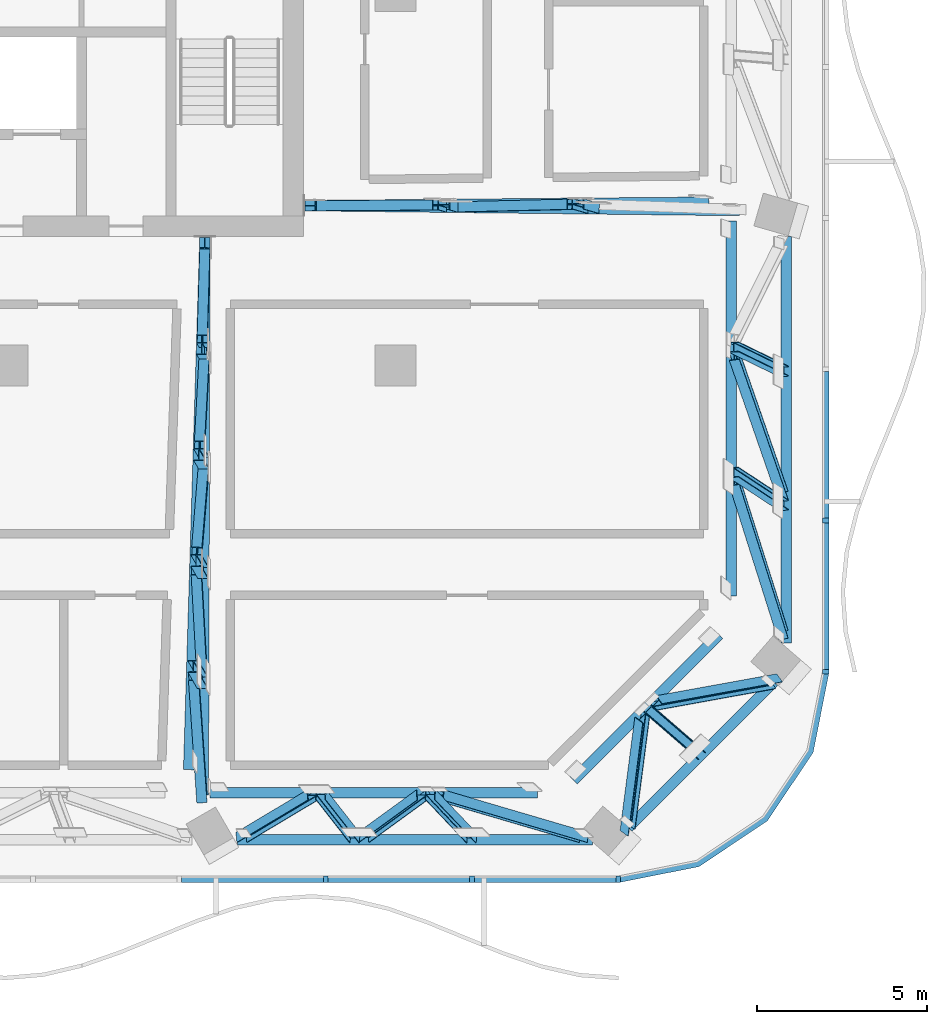
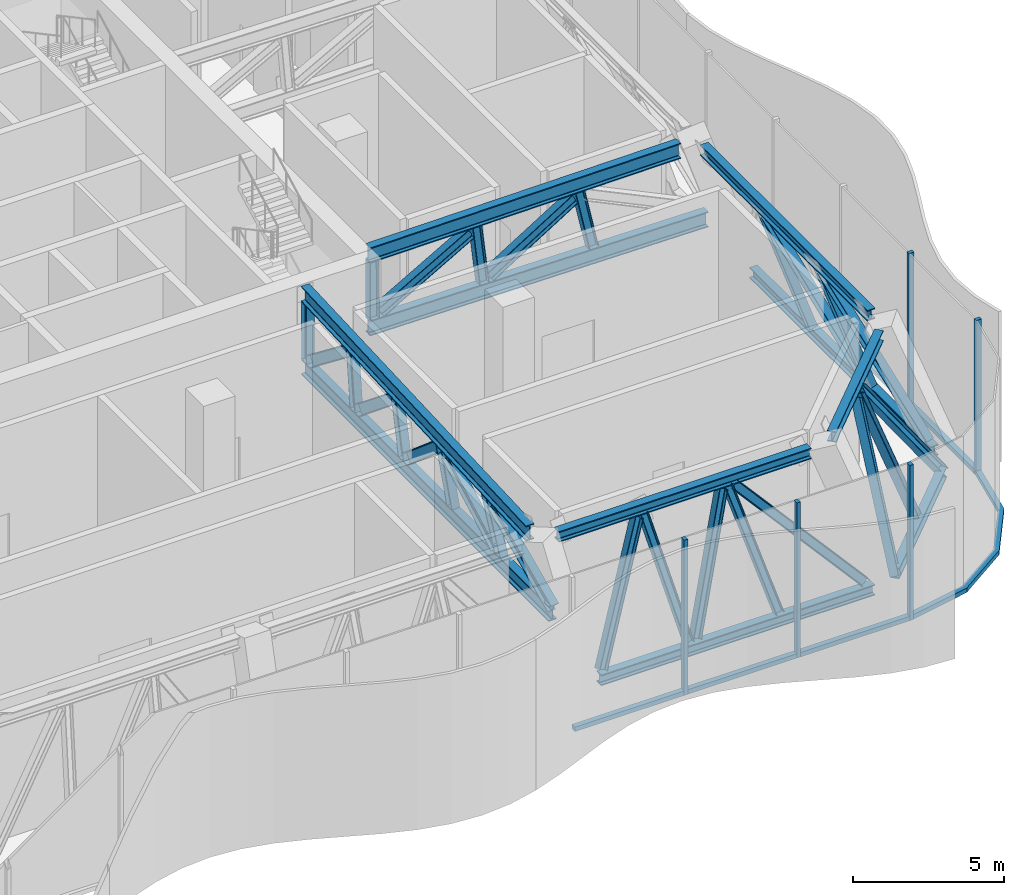
# One storey, part 4 of 29: 48 members, 3 elements without a shape of their own.
"""IFC4 building model written with IfcOpenShell, lengths in metres."""

import ifcopenshell
import ifcopenshell.guid

model = None  # the IFC model being written
_history = None  # IfcOwnerHistory: only IFC2X3 demands one
_inside = {}  # id of a spatial element -> (the spatial element, [elements in it])
_under = {}  # id of a project, library or spatial element -> (it, [spatial elements below it])
_declared = {}  # id of a project -> (the project, [libraries it declares])
_typed = {}  # id of a type object -> (the type object, [elements of that type])
_made_of = {}  # id of a material, layer set ... -> (it, [elements and type objects made of it])


def new_model(schema):
    """Start an empty IFC model of exactly this schema.

    Asked for "IFC4X3", IfcOpenShell would pick the latest addendum, in which some entities
    have other attributes; the version numbers below select the first issue.
    IFC2X3 requires an IfcOwnerHistory on every rooted entity: one is made here for all.
    """
    global model, _history
    if schema == "IFC4X3":
        model = ifcopenshell.file(schema_version=(4, 3, 0, 0))
    else:
        model = ifcopenshell.file(schema=schema)
    _inside.clear()
    _under.clear()
    _declared.clear()
    _typed.clear()
    _made_of.clear()
    _history = None
    if model.schema == "IFC2X3":
        org = make("IfcOrganization", Name="unknown")
        user = make(
            "IfcPersonAndOrganization",
            ThePerson=make("IfcPerson", FamilyName="unknown"),
            TheOrganization=org,
        )
        app = make(
            "IfcApplication",
            ApplicationDeveloper=org,
            Version="unknown",
            ApplicationFullName="unknown",
            ApplicationIdentifier="unknown",
        )
        _history = make(
            "IfcOwnerHistory",
            OwningUser=user,
            OwningApplication=app,
            ChangeAction="ADDED",
            CreationDate=0,
        )
    return model


def make(cls, **values):
    """One entity of the class cls with the attributes given. An attribute that is None is left unset."""
    return model.create_entity(
        cls, **{name: value for name, value in values.items() if value is not None}
    )


def rooted(cls, **values):
    """An entity with a GlobalId (a new one), such as an element, a storey or a relation."""
    return make(cls, GlobalId=ifcopenshell.guid.new(), OwnerHistory=_history, **values)


def si_unit(unit_type, name, prefix=None):
    """IfcSIUnit, for example si_unit("LENGTHUNIT", "METRE", prefix="MILLI")."""
    return make("IfcSIUnit", UnitType=unit_type, Prefix=prefix, Name=name)


def assignment(units):
    """IfcUnitAssignment: the units of a project."""
    return None if units is None else make("IfcUnitAssignment", Units=units)


def point(xyz):
    """IfcCartesianPoint."""
    return None if xyz is None else make("IfcCartesianPoint", Coordinates=xyz)


def direction(xyz):
    """IfcDirection."""
    return None if xyz is None else make("IfcDirection", DirectionRatios=xyz)


def frame(location, z_axis=None, x_axis=None):
    """IfcAxis2Placement3D, a coordinate frame: its origin and axes. An axis left out is left unset."""
    return make(
        "IfcAxis2Placement3D",
        Location=point(location),
        Axis=direction(z_axis),
        RefDirection=direction(x_axis),
    )


def frame_2d(location, x_axis=None):
    """IfcAxis2Placement2D, a coordinate frame in the plane: its origin and x axis."""
    return make(
        "IfcAxis2Placement2D", Location=point(location), RefDirection=direction(x_axis)
    )


def origin():
    """The frame at (0, 0, 0) with its axes left unset."""
    return frame((0.0, 0.0, 0.0))


def origin_2d():
    """The frame at (0, 0) in the plane with its x axis left unset."""
    return frame_2d((0.0, 0.0))


def place(relative_to, where):
    """IfcLocalPlacement: puts the frame where relative to a parent placement (None: the world)."""
    return make(
        "IfcLocalPlacement", PlacementRelTo=relative_to, RelativePlacement=where
    )


def context(
    kind, dimensions, precision=None, world=None, true_north=None, identifier=None
):
    """IfcGeometricRepresentationContext, for example the 3D "Model" context."""
    return make(
        "IfcGeometricRepresentationContext",
        ContextIdentifier=identifier,
        ContextType=kind,
        CoordinateSpaceDimension=dimensions,
        Precision=precision,
        WorldCoordinateSystem=world,
        TrueNorth=true_north,
    )


def subcontext(parent, identifier, kind, view, scale=None):
    """IfcGeometricRepresentationSubContext, for example "Body" below "Model"."""
    return make(
        "IfcGeometricRepresentationSubContext",
        ContextIdentifier=identifier,
        ContextType=kind,
        ParentContext=parent,
        TargetScale=scale,
        TargetView=view,
    )


def project(units=None, contexts=None):
    """IfcProject with its units and contexts."""
    return rooted(
        "IfcProject",
        Name="project",
        RepresentationContexts=contexts,
        UnitsInContext=assignment(units),
    )


def spatial(cls, under=None, at=None, **own):
    """A site, building, storey or space (cls), placed at a placement, below another one or the project."""
    s = rooted(cls, ObjectPlacement=at, **own)
    if under is not None:
        _under.setdefault(under.id(), (under, []))[1].append(s)
    return s


def polyline(points):
    """IfcPolyline through the points."""
    return make("IfcPolyline", Points=[point(p) for p in points])


def profile(cls, at=None, kind="AREA", **sizes):
    """A parametric profile (cls). Its sizes go by their IFC names, for example OverallWidth=200.0."""
    return make(cls, ProfileType=kind, Position=at, **sizes)


def rectangle(**sizes):
    """IfcRectangleProfileDef."""
    return profile("IfcRectangleProfileDef", **sizes)


def i_section(**sizes):
    """IfcIShapeProfileDef."""
    return profile("IfcIShapeProfileDef", **sizes)


def outline(outer, holes=None, kind="AREA"):
    """IfcArbitraryClosedProfileDef: a profile drawn as a closed curve; with holes, ...WithVoids."""
    if holes is None:
        return make("IfcArbitraryClosedProfileDef", ProfileType=kind, OuterCurve=outer)
    return make(
        "IfcArbitraryProfileDefWithVoids",
        ProfileType=kind,
        OuterCurve=outer,
        InnerCurves=holes,
    )


def extrude(swept, where, along, depth):
    """IfcExtrudedAreaSolid: the profile swept, set in the frame where, extruded along a direction by depth."""
    return make(
        "IfcExtrudedAreaSolid",
        SweptArea=swept,
        Position=where,
        ExtrudedDirection=direction(along),
        Depth=depth,
    )


def shape(context_of_items, identifier, shape_type, items):
    """IfcShapeRepresentation: the items that make up one representation, for example the "Body"."""
    return make(
        "IfcShapeRepresentation",
        ContextOfItems=context_of_items,
        RepresentationIdentifier=identifier,
        RepresentationType=shape_type,
        Items=items,
    )


def material(Name=None, Category=None):
    """IfcMaterial."""
    return make("IfcMaterial", Name=Name, Category=Category)


def material_profile(
    of_material, cross_section, Name=None, Category=None, Priority=None
):
    """IfcMaterialProfile: a cross section and its material."""
    return make(
        "IfcMaterialProfile",
        Name=Name,
        Material=of_material,
        Profile=cross_section,
        Priority=Priority,
        Category=Category,
    )


def profile_set(profiles, Name=None, composite=None):
    """IfcMaterialProfileSet."""
    return make(
        "IfcMaterialProfileSet",
        Name=Name,
        MaterialProfiles=profiles,
        CompositeProfile=composite,
    )


def made_of(thing, what):
    """Note that an element or type object is made of a material, layer set ...; save() writes the relation."""
    if what is not None:
        _made_of.setdefault(what.id(), (what, []))[1].append(thing)
    return thing


def type_object(cls, material=None, **own):
    """A type object (cls), such as IfcWallType, which elements share."""
    return made_of(rooted(cls, **own), material)


def element(
    cls,
    number,
    at=None,
    inside=None,
    cuts=None,
    type_object=None,
    material=None,
    context=None,
    identifier="Body",
    shape_type=None,
    held_by="IfcProductDefinitionShape",
    body=None,
    shapes=None,
    **own,
):
    """One element of the class cls, such as IfcWall. Its Tag is "e" and its number.

    at: its placement. inside: the storey or other place that contains it. cuts: it is an
    opening in that element (IfcRelVoidsElement). A single representation is given by context,
    identifier, shape_type and body (its items); several are given by shapes. held_by: the class
    of the entity that holds the representations. save() writes the other relations.
    """
    e = rooted(cls, Tag="e%d" % number, ObjectPlacement=at, **own)
    if body is not None:
        shapes = [shape(context, identifier, shape_type, body)]
    if shapes is not None:
        e.Representation = make(held_by, Representations=shapes)
    if inside is not None:
        _inside.setdefault(inside.id(), (inside, []))[1].append(e)
    if cuts is not None:
        rooted(
            "IfcRelVoidsElement", RelatingBuildingElement=cuts, RelatedOpeningElement=e
        )
    if type_object is not None:
        _typed.setdefault(type_object.id(), (type_object, []))[1].append(e)
    return made_of(e, material)


def aggregate(whole, parts):
    """IfcRelAggregates: a whole, such as a stair, and the parts it consists of."""
    return rooted("IfcRelAggregates", RelatingObject=whole, RelatedObjects=parts)


def save(model, path):
    """Write the relations noted so far, then the file.

    IfcRelAggregates (storeys below a building ...), IfcRelContainedInSpatialStructure (elements
    in a storey), IfcRelDefinesByType, IfcRelAssociatesMaterial and IfcRelDeclares: one each for
    every whole, place, type object, material and project.
    """
    for whole, parts in _under.values():
        aggregate(whole, parts)
    for where, things in _inside.values():
        rooted(
            "IfcRelContainedInSpatialStructure",
            RelatedElements=things,
            RelatingStructure=where,
        )
    for kind, things in _typed.values():
        rooted("IfcRelDefinesByType", RelatedObjects=things, RelatingType=kind)
    for what, things in _made_of.values():
        rooted("IfcRelAssociatesMaterial", RelatedObjects=things, RelatingMaterial=what)
    for by, libraries in _declared.values():
        rooted("IfcRelDeclares", RelatingContext=by, RelatedDefinitions=libraries)
    model.write(path)


model = new_model("IFC4")

# Units and contexts
model_context = context("Model", 3, precision=1e-05, world=origin(), true_north=direction((0.0, 1.0)))
body_context = subcontext(model_context, "Body", "Model", "MODEL_VIEW")
ifc_project = project(units=[si_unit("LENGTHUNIT", "METRE"), si_unit("AREAUNIT", "SQUARE_METRE"), si_unit("VOLUMEUNIT", "CUBIC_METRE"), si_unit("PLANEANGLEUNIT", "RADIAN"), si_unit("MASSUNIT", "GRAM", prefix="KILO")], contexts=[model_context])

# Site, building, storey
site_placement = place(None, origin())
site = spatial("IfcSite", under=ifc_project, at=site_placement, CompositionType="ELEMENT")
building_placement = place(site_placement, origin())
building = spatial("IfcBuilding", under=site, at=building_placement, Name="Mopane Tessera Tower", CompositionType="ELEMENT")
storey_placement = place(building_placement, frame((0.0, 0.0, 315.39990234375)))
storey = spatial("IfcBuildingStorey", under=building, at=storey_placement, Name="L69", CompositionType="ELEMENT", Elevation=315.39990234375)

# Curtain wall, members
ifc_material_1 = material(Name="Aluminium frame", Category="aluminium")
curtain_wall_type = type_object("IfcCurtainWallType", Name="Plant floor unitised wall", PredefinedType="NOTDEFINED", material=ifc_material_1)
curtain_wall_1_placement = place(storey_placement, origin())
curtain_wall_1 = element("IfcCurtainWall", 1, at=curtain_wall_1_placement, inside=storey, type_object=curtain_wall_type, Name="e:cw:L69:S:0", PredefinedType="NOTDEFINED")
ifc_material_2 = material(Name="Aluminium frame", Category="aluminium")
ifc_material_profile_1 = material_profile(ifc_material_2, rectangle(XDim=0.139892578125, YDim=0.199951171875, at=origin_2d()))
ifc_profile_set_1 = profile_set([ifc_material_profile_1], Name="Aluminium frame")
member_type_1 = type_object("IfcMemberType", Name="Aluminium mullion 140 x 200", PredefinedType="MULLION", material=ifc_profile_set_1)
member_1_placement = place(storey_placement, frame((15.050048828125, -26.10009765625, -0.599853515625), z_axis=(0.0, 0.0, 1.0), x_axis=(1.0, 0.0, 0.0)))
member_1 = element("IfcMember", 2, at=member_1_placement, type_object=member_type_1, Name="e:cw:L69:S:0:mu9", PredefinedType="MULLION", context=body_context, shape_type="SweptSolid", body=[
    extrude(rectangle(XDim=0.139892578125, YDim=0.199951171875, at=origin_2d()), origin(), (0.0, 0.0, 1.0), 6.25),
])
member_2_placement = place(storey_placement, frame((19.35009765625, -26.10009765625, -0.599853515625), z_axis=(0.0, 0.0, 1.0), x_axis=(1.0, 0.0, 0.0)))
member_2 = element("IfcMember", 3, at=member_2_placement, type_object=member_type_1, Name="e:cw:L69:S:0:mu10", PredefinedType="MULLION", context=body_context, shape_type="SweptSolid", body=[
    extrude(rectangle(XDim=0.139892578125, YDim=0.199951171875, at=origin_2d()), origin(), (0.0, 0.0, 1.0), 6.25),
])
member_3_placement = place(storey_placement, frame((23.64990234375, -26.10009765625, -0.599853515625), z_axis=(0.0, 0.0, 1.0), x_axis=(1.0, 0.0, 0.0)))
member_3 = element("IfcMember", 4, at=member_3_placement, type_object=member_type_1, Name="e:cw:L69:S:0:mu11", PredefinedType="MULLION", context=body_context, shape_type="SweptSolid", body=[
    extrude(rectangle(XDim=0.139892578125, YDim=0.199951171875, at=origin_2d()), origin(), (0.0, 0.0, 1.0), 6.25),
])

curtain_wall_2_placement = place(storey_placement, origin())
curtain_wall_2 = element("IfcCurtainWall", 5, at=curtain_wall_2_placement, inside=storey, type_object=curtain_wall_type, Name="e:cw:L69:E:0", PredefinedType="NOTDEFINED")
member_4_placement = place(storey_placement, frame((29.75, -20.0, -0.599853515625), z_axis=(0.0, 0.0, 1.0), x_axis=(0.0, 1.0, 0.0)))
member_4 = element("IfcMember", 6, at=member_4_placement, type_object=member_type_1, Name="e:cw:L69:E:0:mu0", PredefinedType="MULLION", context=body_context, shape_type="SweptSolid", body=[
    extrude(rectangle(XDim=0.139892578125, YDim=0.199951171875, at=origin_2d()), origin(), (0.0, 0.0, 1.0), 6.25),
])
member_5_placement = place(storey_placement, frame((29.75, -15.5556640625, -0.599853515625), z_axis=(0.0, 0.0, 1.0), x_axis=(0.0, 1.0, 0.0)))
member_5 = element("IfcMember", 7, at=member_5_placement, type_object=member_type_1, Name="e:cw:L69:E:0:mu1", PredefinedType="MULLION", context=body_context, shape_type="SweptSolid", body=[
    extrude(rectangle(XDim=0.139892578125, YDim=0.199951171875, at=origin_2d()), origin(), (0.0, 0.0, 1.0), 6.25),
])

# Member
ifc_material_3 = material(Name="Aluminium frame", Category="aluminium")
ifc_material_profile_2 = material_profile(ifc_material_3, rectangle(XDim=0.199951171875, YDim=0.179931640625, at=origin_2d()))
ifc_profile_set_2 = profile_set([ifc_material_profile_2], Name="Aluminium frame")
member_type_2 = type_object("IfcMemberType", Name="Aluminium transom 200 x 180", PredefinedType="USERDEFINED", material=ifc_profile_set_2)
member_6_placement = place(storey_placement, frame((10.820068359375, -26.10009765625, -0.510009765625), z_axis=(1.0, 0.0, 0.0), x_axis=(0.0, 1.0, 0.0)))
member_6 = element("IfcMember", 8, at=member_6_placement, type_object=member_type_2, Name="e:cw:L69:S:0:tr8", ObjectType="TRANSOM", PredefinedType="USERDEFINED", context=body_context, shape_type="SweptSolid", body=[
    extrude(rectangle(XDim=0.199951171875, YDim=0.179931640625, at=origin_2d()), origin(), (0.0, 0.0, 1.0), 4.159912109375),
])

member_7_placement = place(storey_placement, frame((15.1201171875, -26.10009765625, -0.510009765625), z_axis=(1.0, 0.0, 0.0), x_axis=(0.0, 1.0, 0.0)))
member_7 = element("IfcMember", 9, at=member_7_placement, type_object=member_type_2, Name="e:cw:L69:S:0:tr9", ObjectType="TRANSOM", PredefinedType="USERDEFINED", context=body_context, shape_type="SweptSolid", body=[
    extrude(rectangle(XDim=0.199951171875, YDim=0.179931640625, at=origin_2d()), origin(), (0.0, 0.0, 1.0), 4.159912109375),
])

member_8_placement = place(storey_placement, frame((19.419921875, -26.10009765625, -0.510009765625), z_axis=(1.0, 0.0, 0.0), x_axis=(0.0, 1.0, 0.0)))
member_8 = element("IfcMember", 10, at=member_8_placement, type_object=member_type_2, Name="e:cw:L69:S:0:tr10", ObjectType="TRANSOM", PredefinedType="USERDEFINED", context=body_context, shape_type="SweptSolid", body=[
    extrude(rectangle(XDim=0.199951171875, YDim=0.179931640625, at=origin_2d()), origin(), (0.0, 0.0, 1.0), 4.16015625),
])

aggregate(curtain_wall_1, [member_1, member_2, member_3, member_6, member_7, member_8])

# Curtain wall, member
curtain_wall_3_placement = place(storey_placement, origin())
curtain_wall_3 = element("IfcCurtainWall", 11, at=curtain_wall_3_placement, inside=storey, type_object=curtain_wall_type, Name="e:cw:L69:CS", PredefinedType="NOTDEFINED")
member_9_placement = place(storey_placement, frame((0.0, 0.0, -0.599853515625)))
member_9 = element("IfcMember", 12, at=member_9_placement, type_object=member_type_2, Name="e:cw:L69:CS:tr", ObjectType="TRANSOM", PredefinedType="USERDEFINED", context=body_context, shape_type="SweptSolid", body=[
    extrude(outline(polyline([(23.64990234375, -26.0), (25.946044921875, -25.543212890625), (27.892578125, -24.24267578125), (29.193359375, -22.296142578125), (29.64990234375, -20.0), (29.85009765625, -20.0), (29.378173828125, -22.37255859375), (28.0341796875, -24.384033203125), (26.022705078125, -25.72802734375), (23.64990234375, -26.199951171875), (23.64990234375, -26.0)])), origin(), (0.0, 0.0, 1.0), 0.179931640625),
])
aggregate(curtain_wall_3, [member_9])

# Member
member_10_placement = place(storey_placement, frame((29.75, -19.929931640625, -0.510009765625), z_axis=(0.0, 1.0, 0.0), x_axis=(-1.0, 0.0, 0.0)))
member_10 = element("IfcMember", 13, at=member_10_placement, type_object=member_type_2, Name="e:cw:L69:E:0:tr0", ObjectType="TRANSOM", PredefinedType="USERDEFINED", context=body_context, shape_type="SweptSolid", body=[
    extrude(rectangle(XDim=0.199951171875, YDim=0.179931640625, at=origin_2d()), origin(), (0.0, 0.0, 1.0), 4.304443359375),
])

member_11_placement = place(storey_placement, frame((29.75, -15.485595703125, -0.510009765625), z_axis=(0.0, 1.0, 0.0), x_axis=(-1.0, 0.0, 0.0)))
member_11 = element("IfcMember", 14, at=member_11_placement, type_object=member_type_2, Name="e:cw:L69:E:0:tr1", ObjectType="TRANSOM", PredefinedType="USERDEFINED", context=body_context, shape_type="SweptSolid", body=[
    extrude(rectangle(XDim=0.199951171875, YDim=0.179931640625, at=origin_2d()), origin(), (0.0, 0.0, 1.0), 4.304443359375),
])

aggregate(curtain_wall_2, [member_4, member_5, member_10, member_11])

# Members
ifc_material_4 = material(Name="Structural steel S460", Category="steel")
ifc_material_profile_3 = material_profile(ifc_material_4, i_section(OverallWidth=0.306884765625, OverallDepth=0.431884765625, WebThickness=0.02099609375, FlangeThickness=0.0400390625, FilletRadius=0.027099609375, at=origin_2d()))
ifc_profile_set_3 = profile_set([ifc_material_profile_3], Name="Structural steel S460")
member_type_3 = type_object("IfcMemberType", Name="Belt truss chord HE 400 M", PredefinedType="CHORD", material=ifc_profile_set_3)
member_12_placement = place(storey_placement, frame((12.457275390625, -24.9423828125, 0.216064453125), z_axis=(1.0, 0.0, 0.0), x_axis=(0.0, 1.0, 0.0)))
element("IfcMember", 15, at=member_12_placement, inside=storey, type_object=member_type_3, Name="Belt truss bottom chord L69 S3-S4", PredefinedType="CHORD", context=body_context, shape_type="SweptSolid", body=[
    extrude(i_section(OverallWidth=0.306884765625, OverallDepth=0.431884765625, WebThickness=0.02099609375, FlangeThickness=0.0400390625, FilletRadius=0.027099609375, at=origin_2d()), origin(), (0.0, 0.0, 1.0), 10.42919921875),
])
member_13_placement = place(storey_placement, frame((11.65283203125, -23.55078125, 5.43408203125), z_axis=(1.0, 0.0, 0.0), x_axis=(0.0, 1.0, 0.0)))
element("IfcMember", 16, at=member_13_placement, inside=storey, type_object=member_type_3, Name="Belt truss top chord L69 S3-S4", PredefinedType="CHORD", context=body_context, shape_type="SweptSolid", body=[
    extrude(i_section(OverallWidth=0.306884765625, OverallDepth=0.431884765625, WebThickness=0.02099609375, FlangeThickness=0.0400390625, FilletRadius=0.027099609375, at=origin_2d()), origin(), (0.0, 0.0, 1.0), 9.624755859375),
])
member_14_placement = place(storey_placement, frame((23.9453125, -24.580322265625, 0.216064453125), z_axis=(0.707126967223, 0.707086594573, 0.0), x_axis=(-0.707086594573, 0.707126967223, 0.0)))
element("IfcMember", 17, at=member_14_placement, inside=storey, type_object=member_type_3, Name="Belt truss bottom chord L69 S4-E0", PredefinedType="CHORD", context=body_context, shape_type="SweptSolid", body=[
    extrude(i_section(OverallWidth=0.306884765625, OverallDepth=0.431884765625, WebThickness=0.02099609375, FlangeThickness=0.0400390625, FilletRadius=0.027099609375, at=origin_2d()), origin(), (0.0, 0.0, 1.0), 6.047119140625),
])
member_15_placement = place(storey_placement, frame((22.33642578125, -23.18896484375, 5.43408203125), z_axis=(0.707106781187, 0.707106781187, 0.0), x_axis=(-0.707106781187, 0.707106781187, 0.0)))
element("IfcMember", 18, at=member_15_placement, inside=storey, type_object=member_type_3, Name="Belt truss top chord L69 S4-E0", PredefinedType="CHORD", context=body_context, shape_type="SweptSolid", body=[
    extrude(i_section(OverallWidth=0.306884765625, OverallDepth=0.431884765625, WebThickness=0.02099609375, FlangeThickness=0.0400390625, FilletRadius=0.027099609375, at=origin_2d()), origin(), (0.0, 0.0, 1.0), 6.04736328125),
])
member_16_placement = place(storey_placement, frame((28.583251953125, -19.16064453125, 0.216064453125), z_axis=(0.0, 1.0, 0.0), x_axis=(-1.0, 0.0, 0.0)))
element("IfcMember", 19, at=member_16_placement, inside=storey, type_object=member_type_3, Name="Belt truss bottom chord L69 E0-E1", PredefinedType="CHORD", context=body_context, shape_type="SweptSolid", body=[
    extrude(i_section(OverallWidth=0.306884765625, OverallDepth=0.431884765625, WebThickness=0.02099609375, FlangeThickness=0.0400390625, FilletRadius=0.027099609375, at=origin_2d()), origin(), (0.0, 0.0, 1.0), 11.948974609375),
])
member_17_placement = place(storey_placement, frame((26.974609375, -17.769287109375, 5.43408203125), z_axis=(0.0, 1.0, 0.0), x_axis=(-1.0, 0.0, 0.0)))
element("IfcMember", 20, at=member_17_placement, inside=storey, type_object=member_type_3, Name="Belt truss top chord L69 E0-E1", PredefinedType="CHORD", context=body_context, shape_type="SweptSolid", body=[
    extrude(i_section(OverallWidth=0.306884765625, OverallDepth=0.431884765625, WebThickness=0.02099609375, FlangeThickness=0.0400390625, FilletRadius=0.027099609375, at=origin_2d()), origin(), (0.0, 0.0, 1.0), 11.021484375),
])
ifc_material_5 = material(Name="Structural steel S460", Category="steel")
ifc_material_profile_4 = material_profile(ifc_material_5, i_section(OverallWidth=0.300048828125, OverallDepth=0.340087890625, WebThickness=0.011962890625, FlangeThickness=0.021484375, FilletRadius=0.027099609375, at=origin_2d()))
ifc_profile_set_4 = profile_set([ifc_material_profile_4], Name="Structural steel S460")
member_type_4 = type_object("IfcMemberType", Name="Belt truss diagonal HE 340 B", PredefinedType="BRACE", material=ifc_profile_set_4)
member_18_placement = place(storey_placement, frame((12.5810546875, -24.869140625, 0.4912109375), z_axis=(0.396181712859, 0.23660465611, 0.887163055533), x_axis=(-0.096501171402, 0.971606008673, -0.216030756671)))
element("IfcMember", 21, at=member_18_placement, inside=storey, type_object=member_type_4, Name="Belt truss diagonal 0 L69 S3-S4", PredefinedType="BRACE", context=body_context, shape_type="SweptSolid", body=[
    extrude(i_section(OverallWidth=0.300048828125, OverallDepth=0.340087890625, WebThickness=0.011962890625, FlangeThickness=0.021484375, FilletRadius=0.027099609375, at=origin_2d()), origin(), (0.0, 0.0, 1.0), 5.261474609375),
])
member_19_placement = place(storey_placement, frame((16.165283203125, -24.8701171875, 0.487060546875), z_axis=(0.334377391502, 0.242855071206, 0.910611428899), x_axis=(-0.083778817676, 0.970062580212, -0.227946704694)))
element("IfcMember", 22, at=member_19_placement, inside=storey, type_object=member_type_4, Name="Belt truss diagonal 1 L69 S3-S4", PredefinedType="BRACE", context=body_context, shape_type="SweptSolid", body=[
    extrude(i_section(OverallWidth=0.300048828125, OverallDepth=0.340087890625, WebThickness=0.011962890625, FlangeThickness=0.021484375, FilletRadius=0.027099609375, at=origin_2d()), origin(), (0.0, 0.0, 1.0), 5.135009765625),
])
member_20_placement = place(storey_placement, frame((18.39208984375, -23.624267578125, 5.158935546875), z_axis=(0.659754288309, -0.193649960631, -0.726101901806), x_axis=(0.130233888732, 0.981070686878, -0.143315880399)))
element("IfcMember", 23, at=member_20_placement, inside=storey, type_object=member_type_4, Name="Belt truss diagonal 2 L69 S3-S4", PredefinedType="BRACE", context=body_context, shape_type="SweptSolid", body=[
    extrude(i_section(OverallWidth=0.300048828125, OverallDepth=0.340087890625, WebThickness=0.011962890625, FlangeThickness=0.021484375, FilletRadius=0.027099609375, at=origin_2d()), origin(), (0.0, 0.0, 1.0), 6.428466796875),
])
member_21_placement = place(storey_placement, frame((23.926025390625, -24.644775390625, 0.137939453125), z_axis=(0.071488391257, 0.549988329124, 0.832107113143), x_axis=(-0.777153482013, 0.553649962132, -0.299172500117)))
element("IfcMember", 24, at=member_21_placement, inside=storey, type_object=member_type_4, Name="Belt truss diagonal 0 L69 S4-E0", PredefinedType="BRACE", context=body_context, shape_type="SweptSolid", body=[
    extrude(i_section(OverallWidth=0.300048828125, OverallDepth=0.340087890625, WebThickness=0.011962890625, FlangeThickness=0.021484375, FilletRadius=0.027099609375, at=origin_2d()), origin(), (0.0, 0.0, 1.0), 6.048095703125),
])
member_22_placement = place(storey_placement, frame((24.7529296875, -20.923828125, 5.170654296875), z_axis=(0.571771583517, 0.103829266357, -0.813816158435), x_axis=(-0.548844879528, 0.785707474973, -0.285364787573)))
element("IfcMember", 25, at=member_22_placement, inside=storey, type_object=member_type_4, Name="Belt truss diagonal 1 L69 S4-E0", PredefinedType="BRACE", context=body_context, shape_type="SweptSolid", body=[
    extrude(i_section(OverallWidth=0.300048828125, OverallDepth=0.340087890625, WebThickness=0.011962890625, FlangeThickness=0.021484375, FilletRadius=0.027099609375, at=origin_2d()), origin(), (0.0, 0.0, 1.0), 6.18408203125),
])
member_23_placement = place(storey_placement, frame((28.49462890625, -18.9189453125, 0.503662109375), z_axis=(-0.215656055351, 0.68132306213, 0.699493638856), x_axis=(-0.976469388038, -0.150469293211, -0.154487947832)))
element("IfcMember", 26, at=member_23_placement, inside=storey, type_object=member_type_4, Name="Belt truss diagonal 0 L69 E0-E1", PredefinedType="BRACE", context=body_context, shape_type="SweptSolid", body=[
    extrude(i_section(OverallWidth=0.300048828125, OverallDepth=0.340087890625, WebThickness=0.011962890625, FlangeThickness=0.021484375, FilletRadius=0.027099609375, at=origin_2d()), origin(), (0.0, 0.0, 1.0), 6.637451171875),
])
member_24_placement = place(storey_placement, frame((28.49560546875, -14.8330078125, 0.500244140625), z_axis=(-0.224748746234, 0.646492390803, 0.729064873451), x_axis=(-0.974416748353, -0.149082476337, -0.168185658661)))
element("IfcMember", 27, at=member_24_placement, inside=storey, type_object=member_type_4, Name="Belt truss diagonal 1 L69 E0-E1", PredefinedType="BRACE", context=body_context, shape_type="SweptSolid", body=[
    extrude(i_section(OverallWidth=0.300048828125, OverallDepth=0.340087890625, WebThickness=0.011962890625, FlangeThickness=0.021484375, FilletRadius=0.027099609375, at=origin_2d()), origin(), (0.0, 0.0, 1.0), 6.377685546875),
])
ifc_material_6 = material(Name="Structural steel S460", Category="steel")
ifc_material_profile_5 = material_profile(ifc_material_6, i_section(OverallWidth=0.300048828125, OverallDepth=0.300048828125, WebThickness=0.010986328125, FlangeThickness=0.01904296875, FilletRadius=0.027099609375, at=origin_2d()))
ifc_profile_set_5 = profile_set([ifc_material_profile_5], Name="Structural steel S460")
member_type_5 = type_object("IfcMemberType", Name="Belt truss post HE 300 B", PredefinedType="POST", material=ifc_profile_set_5)
member_25_placement = place(storey_placement, frame((15.904052734375, -24.884765625, 0.43212890625), z_axis=(-0.197480367847, 0.252612518498, 0.947200306067), x_axis=(0.051652251698, 0.967567520565, -0.247275429517)))
element("IfcMember", 28, at=member_25_placement, inside=storey, type_object=member_type_5, Name="Belt truss post 1 L69 S3-S4", PredefinedType="POST", context=body_context, shape_type="SweptSolid", body=[
    extrude(i_section(OverallWidth=0.300048828125, OverallDepth=0.300048828125, WebThickness=0.010986328125, FlangeThickness=0.01904296875, FilletRadius=0.027099609375, at=origin_2d()), origin(), (0.0, 0.0, 1.0), 5.052734375),
])
member_26_placement = place(storey_placement, frame((19.337646484375, -24.884765625, 0.43212890625), z_axis=(-0.237935125406, 0.250286687248, 0.93847932864), x_axis=(0.061516271204, 0.968171768925, -0.24260909759)))
element("IfcMember", 29, at=member_26_placement, inside=storey, type_object=member_type_5, Name="Belt truss post 2 L69 S3-S4", PredefinedType="POST", context=body_context, shape_type="SweptSolid", body=[
    extrude(i_section(OverallWidth=0.300048828125, OverallDepth=0.300048828125, WebThickness=0.010986328125, FlangeThickness=0.01904296875, FilletRadius=0.027099609375, at=origin_2d()), origin(), (0.0, 0.0, 1.0), 5.099609375),
])
member_27_placement = place(storey_placement, frame((26.0166015625, -22.384765625, 0.43212890625), z_axis=(-0.285464313848, 0.246964658745, 0.926022992614), x_axis=(-0.647192790355, 0.662967266619, -0.376318874764)))
element("IfcMember", 30, at=member_27_placement, inside=storey, type_object=member_type_5, Name="Belt truss post 1 L69 S4-E0", PredefinedType="POST", context=body_context, shape_type="SweptSolid", body=[
    extrude(i_section(OverallWidth=0.300048828125, OverallDepth=0.300048828125, WebThickness=0.010986328125, FlangeThickness=0.01904296875, FilletRadius=0.027099609375, at=origin_2d()), origin(), (0.0, 0.0, 1.0), 5.168212890625),
])
member_28_placement = place(storey_placement, frame((28.5166015625, -15.10888671875, 0.43212890625), z_axis=(-0.289217477998, 0.19009959004, 0.938197951547), x_axis=(-0.95726341728, -0.057415308249, -0.283461165447)))
element("IfcMember", 31, at=member_28_placement, inside=storey, type_object=member_type_5, Name="Belt truss post 1 L69 E0-E1", PredefinedType="POST", context=body_context, shape_type="SweptSolid", body=[
    extrude(i_section(OverallWidth=0.300048828125, OverallDepth=0.300048828125, WebThickness=0.010986328125, FlangeThickness=0.01904296875, FilletRadius=0.027099609375, at=origin_2d()), origin(), (0.0, 0.0, 1.0), 5.10107421875),
])
member_29_placement = place(storey_placement, frame((28.5166015625, -11.1708984375, 0.43212890625), z_axis=(-0.291615590577, 0.14173009921, 0.945977233505), x_axis=(-0.956535595718, -0.043169287221, -0.288402612271)))
element("IfcMember", 32, at=member_29_placement, inside=storey, type_object=member_type_5, Name="Belt truss post 2 L69 E0-E1", PredefinedType="POST", context=body_context, shape_type="SweptSolid", body=[
    extrude(i_section(OverallWidth=0.300048828125, OverallDepth=0.300048828125, WebThickness=0.010986328125, FlangeThickness=0.01904296875, FilletRadius=0.027099609375, at=origin_2d()), origin(), (0.0, 0.0, 1.0), 5.05908203125),
])
ifc_material_7 = material(Name="Structural steel S460", Category="steel")
ifc_material_profile_6 = material_profile(ifc_material_7, i_section(OverallWidth=0.304931640625, OverallDepth=0.6201171875, WebThickness=0.02099609375, FlangeThickness=0.0400390625, FilletRadius=0.027099609375, at=origin_2d()))
ifc_profile_set_6 = profile_set([ifc_material_profile_6], Name="Structural steel S460")
member_type_6 = type_object("IfcMemberType", Name="Outrigger truss chord HE 600 M", PredefinedType="CHORD", material=ifc_profile_set_6)
member_30_placement = place(storey_placement, frame((14.416259765625, -6.30029296875, 2.41015625), z_axis=(0.999936482386, -0.011270811533, 0.0), x_axis=(0.011270811533, 0.999936482386, 0.0)))
element("IfcMember", 33, at=member_30_placement, inside=storey, type_object=member_type_6, Name="Outrigger truss bottom chord L69 E1", PredefinedType="CHORD", context=body_context, shape_type="SweptSolid", body=[
    extrude(i_section(OverallWidth=0.304931640625, OverallDepth=0.6201171875, WebThickness=0.02099609375, FlangeThickness=0.0400390625, FilletRadius=0.027099609375, at=origin_2d()), origin(), (0.0, 0.0, 1.0), 12.8017578125),
])
member_31_placement = place(storey_placement, frame((14.416259765625, -6.2998046875, 5.340087890625), z_axis=(0.999963368291, 0.008559326818, 0.0), x_axis=(-0.008559326818, 0.999963368291, 0.0)))
element("IfcMember", 34, at=member_31_placement, inside=storey, type_object=member_type_6, Name="Outrigger truss top chord L69 E1", PredefinedType="CHORD", context=body_context, shape_type="SweptSolid", body=[
    extrude(i_section(OverallWidth=0.304931640625, OverallDepth=0.6201171875, WebThickness=0.02099609375, FlangeThickness=0.0400390625, FilletRadius=0.027099609375, at=origin_2d()), origin(), (0.0, 0.0, 1.0), 11.894287109375),
])
member_32_placement = place(storey_placement, frame((11.501220703125, -7.21484375, 2.41015625), z_axis=(-0.002796734127, -0.999996089131, 0.0), x_axis=(0.999996089131, -0.002796734127, 0.0)))
element("IfcMember", 35, at=member_32_placement, inside=storey, type_object=member_type_6, Name="Outrigger truss bottom chord L69 S3", PredefinedType="CHORD", context=body_context, shape_type="SweptSolid", body=[
    extrude(i_section(OverallWidth=0.304931640625, OverallDepth=0.6201171875, WebThickness=0.02099609375, FlangeThickness=0.0400390625, FilletRadius=0.027099609375, at=origin_2d()), origin(), (0.0, 0.0, 1.0), 16.411376953125),
])
member_33_placement = place(storey_placement, frame((11.500732421875, -7.21484375, 5.340087890625), z_axis=(-0.030489115583, -0.999535098849, 0.0), x_axis=(0.999535098849, -0.030489115583, 0.0)))
element("IfcMember", 36, at=member_33_placement, inside=storey, type_object=member_type_6, Name="Outrigger truss top chord L69 S3", PredefinedType="CHORD", context=body_context, shape_type="SweptSolid", body=[
    extrude(i_section(OverallWidth=0.304931640625, OverallDepth=0.6201171875, WebThickness=0.02099609375, FlangeThickness=0.0400390625, FilletRadius=0.027099609375, at=origin_2d()), origin(), (0.0, 0.0, 1.0), 15.670654296875),
])
ifc_material_8 = material(Name="Structural steel S460", Category="steel")
ifc_material_profile_7 = material_profile(ifc_material_8, i_section(OverallWidth=0.300048828125, OverallDepth=0.449951171875, WebThickness=0.013916015625, FlangeThickness=0.02587890625, FilletRadius=0.027099609375, at=origin_2d()))
ifc_profile_set_7 = profile_set([ifc_material_profile_7], Name="Structural steel S460")
member_type_7 = type_object("IfcMemberType", Name="Outrigger truss diagonal HE 450 B", PredefinedType="BRACE", material=ifc_profile_set_7)
member_34_placement = place(storey_placement, frame((14.842041015625, -6.3037109375, 2.89990234375), z_axis=(0.871343805538, 0.005895757354, 0.490637557262), x_axis=(-0.002425276652, 0.999967344298, -0.007708979837)))
element("IfcMember", 37, at=member_34_placement, inside=storey, type_object=member_type_7, Name="Outrigger truss diagonal 0 L69 E1", PredefinedType="BRACE", context=body_context, shape_type="SweptSolid", body=[
    extrude(i_section(OverallWidth=0.300048828125, OverallDepth=0.449951171875, WebThickness=0.013916015625, FlangeThickness=0.02587890625, FilletRadius=0.027099609375, at=origin_2d()), origin(), (0.0, 0.0, 1.0), 3.975341796875),
])
member_35_placement = place(storey_placement, frame((18.984130859375, -6.33740234375, 2.89990234375), z_axis=(0.859158649315, 0.020224533163, 0.511309479245), x_axis=(-0.014426890701, 0.999778801999, -0.01530398306)))
element("IfcMember", 38, at=member_35_placement, inside=storey, type_object=member_type_7, Name="Outrigger truss diagonal 1 L69 E1", PredefinedType="BRACE", context=body_context, shape_type="SweptSolid", body=[
    extrude(i_section(OverallWidth=0.300048828125, OverallDepth=0.449951171875, WebThickness=0.013916015625, FlangeThickness=0.02587890625, FilletRadius=0.027099609375, at=origin_2d()), origin(), (0.0, 0.0, 1.0), 3.814697265625),
])
member_36_placement = place(storey_placement, frame((11.497802734375, -7.674560546875, 2.876220703125), z_axis=(-0.023202999959, -0.78860163614, 0.614466500527), x_axis=(0.999729301311, -0.019357859482, 0.012907260641)))
element("IfcMember", 39, at=member_36_placement, inside=storey, type_object=member_type_7, Name="Outrigger truss diagonal 0 L69 S3", PredefinedType="BRACE", context=body_context, shape_type="SweptSolid", body=[
    extrude(i_section(OverallWidth=0.300048828125, OverallDepth=0.449951171875, WebThickness=0.013916015625, FlangeThickness=0.02587890625, FilletRadius=0.027099609375, at=origin_2d()), origin(), (0.0, 0.0, 1.0), 3.251220703125),
])
member_37_placement = place(storey_placement, frame((11.47509765625, -10.89697265625, 2.876220703125), z_axis=(-0.042070871903, -0.775965313773, 0.629371014234), x_axis=(0.999113156367, -0.033755939858, 0.02516818029)))
element("IfcMember", 40, at=member_37_placement, inside=storey, type_object=member_type_7, Name="Outrigger truss diagonal 1 L69 S3", PredefinedType="BRACE", context=body_context, shape_type="SweptSolid", body=[
    extrude(i_section(OverallWidth=0.300048828125, OverallDepth=0.449951171875, WebThickness=0.013916015625, FlangeThickness=0.02587890625, FilletRadius=0.027099609375, at=origin_2d()), origin(), (0.0, 0.0, 1.0), 3.17431640625),
])
member_38_placement = place(storey_placement, frame((11.45263671875, -14.11962890625, 2.876220703125), z_axis=(-0.061984678787, -0.762088630174, 0.644498890111), x_axis=(0.998075398804, -0.048521358698, 0.038615748759)))
element("IfcMember", 41, at=member_38_placement, inside=storey, type_object=member_type_7, Name="Outrigger truss diagonal 2 L69 S3", PredefinedType="BRACE", context=body_context, shape_type="SweptSolid", body=[
    extrude(i_section(OverallWidth=0.300048828125, OverallDepth=0.449951171875, WebThickness=0.013916015625, FlangeThickness=0.02587890625, FilletRadius=0.027099609375, at=origin_2d()), origin(), (0.0, 0.0, 1.0), 3.099853515625),
])
member_39_placement = place(storey_placement, frame((11.24658203125, -17.02490234375, 4.8740234375), z_axis=(0.045822423341, -0.829698597115, -0.556327730268), x_axis=(0.998948343308, 0.037174972086, 0.026837079806)))
element("IfcMember", 42, at=member_39_placement, inside=storey, type_object=member_type_7, Name="Outrigger truss diagonal 3 L69 S3", PredefinedType="BRACE", context=body_context, shape_type="SweptSolid", body=[
    extrude(i_section(OverallWidth=0.300048828125, OverallDepth=0.449951171875, WebThickness=0.013916015625, FlangeThickness=0.02587890625, FilletRadius=0.027099609375, at=origin_2d()), origin(), (0.0, 0.0, 1.0), 3.591064453125),
])
member_40_placement = place(storey_placement, frame((11.16650390625, -20.140869140625, 4.8681640625), z_axis=(0.058576595295, -0.853884368836, -0.517155940835), x_axis=(0.998281893787, 0.049361881566, 0.031570004534)))
element("IfcMember", 43, at=member_40_placement, inside=storey, type_object=member_type_7, Name="Outrigger truss diagonal 4 L69 S3", PredefinedType="BRACE", context=body_context, shape_type="SweptSolid", body=[
    extrude(i_section(OverallWidth=0.300048828125, OverallDepth=0.449951171875, WebThickness=0.013916015625, FlangeThickness=0.02587890625, FilletRadius=0.027099609375, at=origin_2d()), origin(), (0.0, 0.0, 1.0), 4.20947265625),
])
ifc_material_9 = material(Name="Structural steel S460", Category="steel")
ifc_material_profile_8 = material_profile(ifc_material_9, i_section(OverallWidth=0.300048828125, OverallDepth=0.360107421875, WebThickness=0.012451171875, FlangeThickness=0.0224609375, FilletRadius=0.027099609375, at=origin_2d()))
ifc_profile_set_8 = profile_set([ifc_material_profile_8], Name="Structural steel S460")
member_type_8 = type_object("IfcMemberType", Name="Outrigger truss post HE 360 B", PredefinedType="POST", material=ifc_profile_set_8)
member_41_placement = place(storey_placement, frame((14.595947265625, -6.3017578125, 2.72021484375), z_axis=(-0.004544923507, 0.001268350746, 0.999988867416), x_axis=(0.002684496349, 0.999995607763, -0.001256158329)))
element("IfcMember", 44, at=member_41_placement, inside=storey, type_object=member_type_8, Name="Outrigger truss post 0 L69 E1", PredefinedType="POST", context=body_context, shape_type="SweptSolid", body=[
    extrude(i_section(OverallWidth=0.300048828125, OverallDepth=0.360107421875, WebThickness=0.012451171875, FlangeThickness=0.0224609375, FilletRadius=0.027099609375, at=origin_2d()), origin(), (0.0, 0.0, 1.0), 2.309814453125),
])
member_42_placement = place(storey_placement, frame((18.755126953125, -6.340576171875, 2.72021484375), z_axis=(-0.099556408627, 0.02869999953, 0.994617932439), x_axis=(0.013953785433, 0.999525921878, -0.027444915111)))
element("IfcMember", 45, at=member_42_placement, inside=storey, type_object=member_type_8, Name="Outrigger truss post 1 L69 E1", PredefinedType="POST", context=body_context, shape_type="SweptSolid", body=[
    extrude(i_section(OverallWidth=0.300048828125, OverallDepth=0.360107421875, WebThickness=0.012451171875, FlangeThickness=0.0224609375, FilletRadius=0.027099609375, at=origin_2d()), origin(), (0.0, 0.0, 1.0), 2.322265625),
])
member_43_placement = place(storey_placement, frame((22.914306640625, -6.37939453125, 2.72021484375), z_axis=(-0.191810966213, 0.055306185722, 0.979872327939), x_axis=(0.0214784415, 0.998408365965, -0.052147975242)))
element("IfcMember", 46, at=member_43_placement, inside=storey, type_object=member_type_8, Name="Outrigger truss post 2 L69 E1", PredefinedType="POST", context=body_context, shape_type="SweptSolid", body=[
    extrude(i_section(OverallWidth=0.300048828125, OverallDepth=0.360107421875, WebThickness=0.012451171875, FlangeThickness=0.0224609375, FilletRadius=0.027099609375, at=origin_2d()), origin(), (0.0, 0.0, 1.0), 2.357177734375),
])
member_44_placement = place(storey_placement, frame((11.5, -7.394775390625, 2.72021484375), z_axis=(-0.001691142792, 0.003065196311, 0.999993872285), x_axis=(0.999738761129, -0.022788372392, 0.001760562623)))
element("IfcMember", 47, at=member_44_placement, inside=storey, type_object=member_type_8, Name="Outrigger truss post 0 L69 S3", PredefinedType="POST", context=body_context, shape_type="SweptSolid", body=[
    extrude(i_section(OverallWidth=0.300048828125, OverallDepth=0.360107421875, WebThickness=0.012451171875, FlangeThickness=0.0224609375, FilletRadius=0.027099609375, at=origin_2d()), origin(), (0.0, 0.0, 1.0), 2.309814453125),
])
member_45_placement = place(storey_placement, frame((11.48193359375, -10.625244140625, 2.72021484375), z_axis=(-0.030804698442, 0.053486240104, 0.998093328639), x_axis=(0.999515656177, -0.002765923552, 0.030996817973)))
element("IfcMember", 48, at=member_45_placement, inside=storey, type_object=member_type_8, Name="Outrigger truss post 1 L69 S3", PredefinedType="POST", context=body_context, shape_type="SweptSolid", body=[
    extrude(i_section(OverallWidth=0.300048828125, OverallDepth=0.360107421875, WebThickness=0.012451171875, FlangeThickness=0.0224609375, FilletRadius=0.027099609375, at=origin_2d()), origin(), (0.0, 0.0, 1.0), 2.314208984375),
])
member_46_placement = place(storey_placement, frame((11.4638671875, -13.855712890625, 2.72021484375), z_axis=(-0.059607658326, 0.103263971466, 0.992866294758), x_axis=(0.998215985716, 0.002747410826, 0.059643085048)))
element("IfcMember", 49, at=member_46_placement, inside=storey, type_object=member_type_8, Name="Outrigger truss post 2 L69 S3", PredefinedType="POST", context=body_context, shape_type="SweptSolid", body=[
    extrude(i_section(OverallWidth=0.300048828125, OverallDepth=0.360107421875, WebThickness=0.012451171875, FlangeThickness=0.0224609375, FilletRadius=0.027099609375, at=origin_2d()), origin(), (0.0, 0.0, 1.0), 2.326416015625),
])
member_47_placement = place(storey_placement, frame((11.44580078125, -17.086181640625, 2.72021484375), z_axis=(-0.087822672568, 0.152024792206, 0.984467186217), x_axis=(0.996131383415, 0.010353869728, 0.087264336109)))
element("IfcMember", 50, at=member_47_placement, inside=storey, type_object=member_type_8, Name="Outrigger truss post 3 L69 S3", PredefinedType="POST", context=body_context, shape_type="SweptSolid", body=[
    extrude(i_section(OverallWidth=0.300048828125, OverallDepth=0.360107421875, WebThickness=0.012451171875, FlangeThickness=0.0224609375, FilletRadius=0.027099609375, at=origin_2d()), origin(), (0.0, 0.0, 1.0), 2.34619140625),
])
member_48_placement = place(storey_placement, frame((11.427734375, -20.316650390625, 2.72021484375), z_axis=(-0.115299638037, 0.199434431894, 0.973104260007), x_axis=(0.993327008674, 0.020457660821, 0.113503030588)))
element("IfcMember", 51, at=member_48_placement, inside=storey, type_object=member_type_8, Name="Outrigger truss post 4 L69 S3", PredefinedType="POST", context=body_context, shape_type="SweptSolid", body=[
    extrude(i_section(OverallWidth=0.300048828125, OverallDepth=0.360107421875, WebThickness=0.012451171875, FlangeThickness=0.0224609375, FilletRadius=0.027099609375, at=origin_2d()), origin(), (0.0, 0.0, 1.0), 2.37353515625),
])

save(model, "model.ifc")
